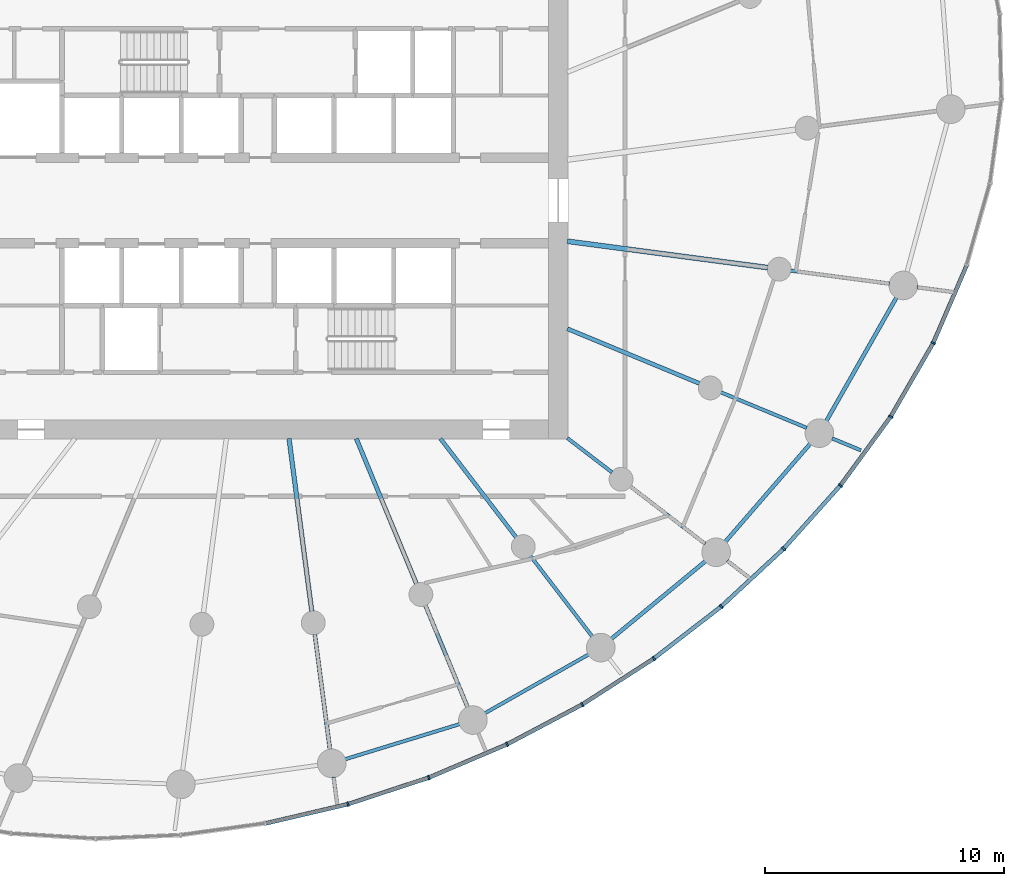
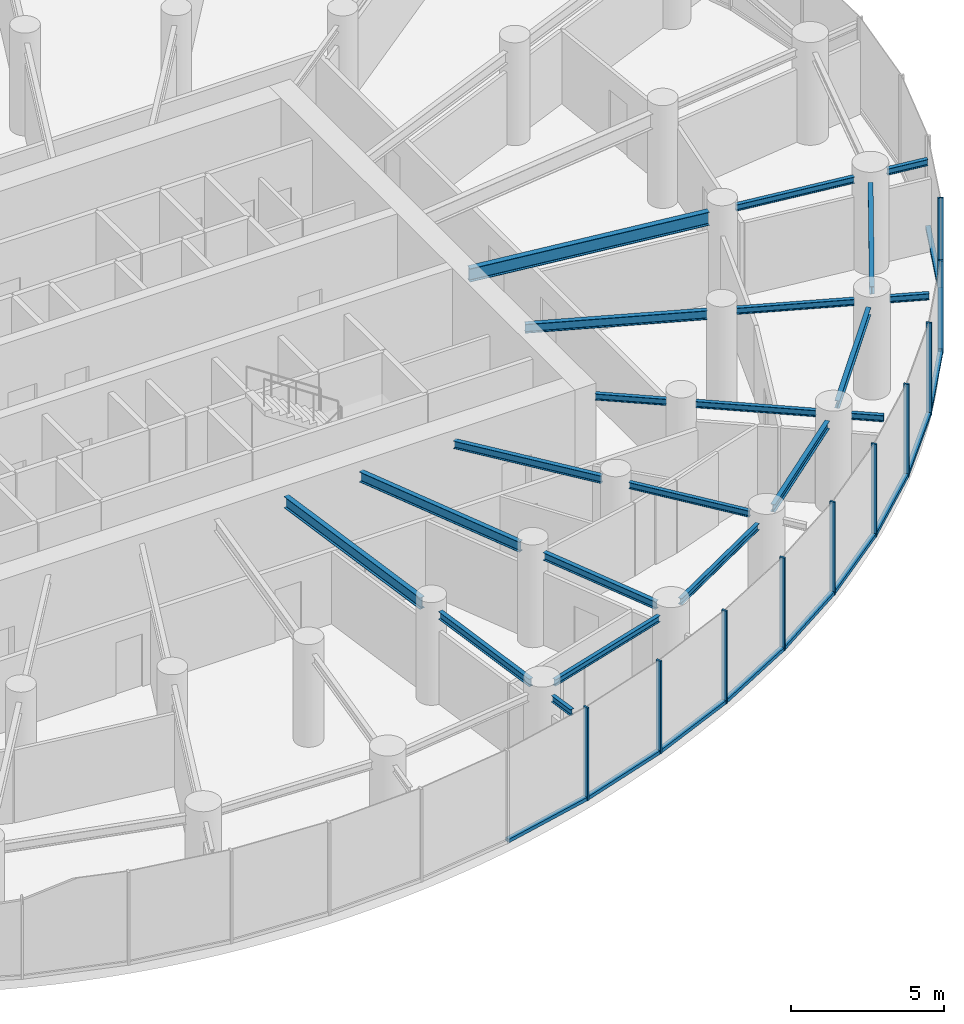
# One storey, part 4 of 17: 21 beams, 21 members, 3 elements without a shape of their own.
"""IFC4 building model written with IfcOpenShell, lengths in metres."""

from ifc_helpers import new_model, si_unit, direction, frame, origin, origin_2d, place, context, subcontext, project, spatial, rectangle, i_section, extrude, source, transform, mapped, material, layer, layer_set, material_profile, profile_set, type_object, element, aggregate, save


model = new_model("IFC4")

# Units and contexts
model_context = context("Model", 3, precision=1e-05, world=origin(), true_north=direction((0.0, 1.0)))
body_context = subcontext(model_context, "Body", "Model", "MODEL_VIEW")
ifc_project = project(units=[si_unit("LENGTHUNIT", "METRE"), si_unit("AREAUNIT", "SQUARE_METRE"), si_unit("VOLUMEUNIT", "CUBIC_METRE"), si_unit("PLANEANGLEUNIT", "RADIAN"), si_unit("MASSUNIT", "GRAM", prefix="KILO")], contexts=[model_context])

# Site, building, storey
site_placement = place(None, origin())
site = spatial("IfcSite", under=ifc_project, at=site_placement, CompositionType="ELEMENT")
building_placement = place(site_placement, origin())
building = spatial("IfcBuilding", under=site, at=building_placement, Name="Spindrift Exchange Tower", CompositionType="ELEMENT")
storey_placement = place(building_placement, frame((0.0, 0.0, 100.300048828125)))
storey = spatial("IfcBuildingStorey", under=building, at=storey_placement, Name="L23", CompositionType="ELEMENT", Elevation=100.300048828125)

# Beams
ifc_material_1 = material(Name="Steel Grade 300", Category="steel")
ifc_material_profile_1 = material_profile(ifc_material_1, i_section(OverallWidth=0.18994140625, OverallDepth=0.45703125, WebThickness=0.009033203125, FlangeThickness=0.014404296875, FilletRadius=0.013916015625, at=origin_2d()), Name="460UB74.6")
ifc_profile_set_1 = profile_set([ifc_material_profile_1], Name="Steel Grade 300")
beam_type_1 = type_object("IfcBeamType", Name="Floor Beam 460UB74.6 Steel Grade 300", PredefinedType="BEAM", material=ifc_profile_set_1)
shared_shape_1 = source(origin(), body_context, "Body", "SweptSolid", [
    extrude(i_section(OverallWidth=0.18994140625, OverallDepth=0.45703125, WebThickness=0.009033203125, FlangeThickness=0.014404296875, FilletRadius=0.013916015625, at=origin_2d()), origin(), (0.0, 0.0, 1.0), 7.3095703125),
])
beam_1_placement = place(storey_placement, frame((53.31396484375, 38.019775390625, 3.471435546875), z_axis=(0.130527087244, -0.991444743541, 0.0), x_axis=(0.991444743541, 0.130527087244, 0.0)))
element("IfcBeam", 1, at=beam_1_placement, inside=storey, type_object=beam_type_1, Name="L23 radial beam R19A", PredefinedType="BEAM", context=body_context, shape_type="MappedRepresentation", body=[
    mapped(shared_shape_1, transform((0.0, 0.0, 0.0), scale=1.0)),
])
ifc_material_profile_2 = material_profile(ifc_material_1, i_section(OverallWidth=0.177978515625, OverallDepth=0.406005859375, WebThickness=0.0078125, FlangeThickness=0.0126953125, FilletRadius=0.013916015625, at=origin_2d()), Name="410UB59.7")
ifc_profile_set_2 = profile_set([ifc_material_profile_2], Name="Steel Grade 300")
beam_type_2 = type_object("IfcBeamType", Name="Floor Beam 410UB59.7 Steel Grade 300", PredefinedType="BEAM", material=ifc_profile_set_2)
shared_shape_2 = source(origin(), body_context, "Body", "SweptSolid", [
    extrude(i_section(OverallWidth=0.177978515625, OverallDepth=0.406005859375, WebThickness=0.0078125, FlangeThickness=0.0126953125, FilletRadius=0.013916015625, at=origin_2d()), origin(), (0.0, 0.0, 1.0), 6.594482421875),
])
beam_2_placement = place(storey_placement, frame((56.134521484375, 38.0185546875, 3.4970703125), z_axis=(0.382692929746, -0.92387559851, 0.0), x_axis=(0.92387559851, 0.382692929746, 0.0)))
element("IfcBeam", 2, at=beam_2_placement, inside=storey, type_object=beam_type_2, Name="L23 radial beam R20A", PredefinedType="BEAM", context=body_context, shape_type="MappedRepresentation", body=[
    mapped(shared_shape_2, transform((0.0, 0.0, 0.0), scale=1.0)),
])
ifc_material_profile_3 = material_profile(ifc_material_1, i_section(OverallWidth=0.1650390625, OverallDepth=0.303955078125, WebThickness=0.006103515625, FlangeThickness=0.01025390625, FilletRadius=0.011474609375, at=origin_2d()), Name="310UB40.4")
ifc_profile_set_3 = profile_set([ifc_material_profile_3], Name="Steel Grade 300")
beam_type_3 = type_object("IfcBeamType", Name="Floor Beam 310UB40.4 Steel Grade 300", PredefinedType="BEAM", material=ifc_profile_set_3)
shared_shape_3 = source(origin(), body_context, "Body", "SweptSolid", [
    extrude(i_section(OverallWidth=0.1650390625, OverallDepth=0.303955078125, WebThickness=0.006103515625, FlangeThickness=0.01025390625, FilletRadius=0.011474609375, at=origin_2d()), origin(), (0.0, 0.0, 1.0), 5.224609375),
])
beam_3_placement = place(storey_placement, frame((59.6611328125, 38.015869140625, 3.5478515625), z_axis=(0.608741499316, -0.793368632485, 0.0), x_axis=(0.793368632485, 0.608741499316, 0.0)))
element("IfcBeam", 3, at=beam_3_placement, inside=storey, type_object=beam_type_3, Name="L23 radial beam R21A", PredefinedType="BEAM", context=body_context, shape_type="MappedRepresentation", body=[
    mapped(shared_shape_3, transform((0.0, 0.0, 0.0), scale=1.0)),
])
ifc_material_profile_4 = material_profile(ifc_material_1, i_section(OverallWidth=0.14599609375, OverallDepth=0.251953125, WebThickness=0.006103515625, FlangeThickness=0.008544921875, FilletRadius=0.011962890625, at=origin_2d()), Name="250UB31.4")
ifc_profile_set_4 = profile_set([ifc_material_profile_4], Name="Steel Grade 300")
beam_type_4 = type_object("IfcBeamType", Name="Floor Beam 250UB31.4 Steel Grade 300", PredefinedType="BEAM", material=ifc_profile_set_4)
shared_shape_4 = source(origin(), body_context, "Body", "SweptSolid", [
    extrude(i_section(OverallWidth=0.14599609375, OverallDepth=0.251953125, WebThickness=0.006103515625, FlangeThickness=0.008544921875, FilletRadius=0.011962890625, at=origin_2d()), origin(), (0.0, 0.0, 1.0), 2.353759765625),
])
beam_4_placement = place(storey_placement, frame((64.984130859375, 38.036865234375, 3.573974609375), z_axis=(0.793367573265, -0.608742879787, 0.0), x_axis=(0.608742879787, 0.793367573265, 0.0)))
element("IfcBeam", 4, at=beam_4_placement, inside=storey, type_object=beam_type_4, Name="L23 radial beam R22A", PredefinedType="BEAM", context=body_context, shape_type="MappedRepresentation", body=[
    mapped(shared_shape_4, transform((0.0, 0.0, 0.0), scale=1.0)),
])
ifc_material_profile_5 = material_profile(ifc_material_1, i_section(OverallWidth=0.172119140625, OverallDepth=0.35888671875, WebThickness=0.008056640625, FlangeThickness=0.012939453125, FilletRadius=0.013916015625, at=origin_2d()), Name="360UB56.7")
ifc_profile_set_5 = profile_set([ifc_material_profile_5], Name="Steel Grade 300")
beam_type_5 = type_object("IfcBeamType", Name="Floor Beam 360UB56.7 Steel Grade 300", PredefinedType="BEAM", material=ifc_profile_set_5)
shared_shape_5 = source(origin(), body_context, "Body", "SweptSolid", [
    extrude(i_section(OverallWidth=0.172119140625, OverallDepth=0.35888671875, WebThickness=0.008056640625, FlangeThickness=0.012939453125, FilletRadius=0.013916015625, at=origin_2d()), origin(), (0.0, 0.0, 1.0), 6.004638671875),
])
beam_5_placement = place(storey_placement, frame((64.9814453125, 42.622802734375, 3.5205078125), z_axis=(0.923882044911, -0.38267736684, 0.0), x_axis=(0.38267736684, 0.923882044911, 0.0)))
element("IfcBeam", 5, at=beam_5_placement, inside=storey, type_object=beam_type_5, Name="L23 radial beam R23A", PredefinedType="BEAM", context=body_context, shape_type="MappedRepresentation", body=[
    mapped(shared_shape_5, transform((0.0, 0.0, 0.0), scale=1.0)),
])
ifc_material_profile_6 = material_profile(ifc_material_1, i_section(OverallWidth=0.208984375, OverallDepth=0.532958984375, WebThickness=0.01025390625, FlangeThickness=0.015625, FilletRadius=0.013916015625, at=origin_2d()), Name="530UB92.4")
ifc_profile_set_6 = profile_set([ifc_material_profile_6], Name="Steel Grade 300")
beam_type_6 = type_object("IfcBeamType", Name="Floor Beam 530UB92.4 Steel Grade 300", PredefinedType="BEAM", material=ifc_profile_set_6)
shared_shape_6 = source(origin(), body_context, "Body", "SweptSolid", [
    extrude(i_section(OverallWidth=0.208984375, OverallDepth=0.532958984375, WebThickness=0.01025390625, FlangeThickness=0.015625, FilletRadius=0.013916015625, at=origin_2d()), origin(), (0.0, 0.0, 1.0), 8.4794921875),
])
beam_6_placement = place(storey_placement, frame((64.980224609375, 46.291015625, 3.433349609375), z_axis=(0.991446551951, -0.13051335037, 0.0), x_axis=(0.13051335037, 0.991446551951, 0.0)))
element("IfcBeam", 6, at=beam_6_placement, inside=storey, type_object=beam_type_6, Name="L23 radial beam R24A", PredefinedType="BEAM", context=body_context, shape_type="MappedRepresentation", body=[
    mapped(shared_shape_6, transform((0.0, 0.0, 0.0), scale=1.0)),
])
shared_shape_7 = source(origin(), body_context, "Body", "SweptSolid", [
    extrude(i_section(OverallWidth=0.1650390625, OverallDepth=0.303955078125, WebThickness=0.006103515625, FlangeThickness=0.01025390625, FilletRadius=0.011474609375, at=origin_2d()), origin(), (0.0, 0.0, 1.0), 4.883056640625),
])
beam_7_placement = place(storey_placement, frame((54.393310546875, 29.82080078125, 3.5478515625), z_axis=(0.130542457964, -0.991442719812, 0.0), x_axis=(0.991442719812, 0.130542457964, 0.0)))
element("IfcBeam", 7, at=beam_7_placement, inside=storey, type_object=beam_type_3, Name="L23 radial beam R19B", PredefinedType="BEAM", context=body_context, shape_type="MappedRepresentation", body=[
    mapped(shared_shape_7, transform((0.0, 0.0, 0.0), scale=1.0)),
])
shared_shape_8 = source(origin(), body_context, "Body", "SweptSolid", [
    extrude(i_section(OverallWidth=0.1650390625, OverallDepth=0.303955078125, WebThickness=0.006103515625, FlangeThickness=0.01025390625, FilletRadius=0.011474609375, at=origin_2d()), origin(), (0.0, 0.0, 1.0), 4.63671875),
])
beam_8_placement = place(storey_placement, frame((59.025390625, 31.0390625, 3.5478515625), z_axis=(0.382692818086, -0.923875644763, 0.0), x_axis=(0.923875644763, 0.382692818086, 0.0)))
element("IfcBeam", 8, at=beam_8_placement, inside=storey, type_object=beam_type_3, Name="L23 radial beam R20B", PredefinedType="BEAM", context=body_context, shape_type="MappedRepresentation", body=[
    mapped(shared_shape_8, transform((0.0, 0.0, 0.0), scale=1.0)),
])
shared_shape_9 = source(origin(), body_context, "Body", "SweptSolid", [
    extrude(i_section(OverallWidth=0.14599609375, OverallDepth=0.251953125, WebThickness=0.006103515625, FlangeThickness=0.008544921875, FilletRadius=0.011962890625, at=origin_2d()), origin(), (0.0, 0.0, 1.0), 4.27587890625),
])
beam_9_placement = place(storey_placement, frame((63.426025390625, 33.109375, 3.573974609375), z_axis=(0.608725184746, -0.793381150177, 0.0), x_axis=(0.793381150177, 0.608725184746, 0.0)))
element("IfcBeam", 9, at=beam_9_placement, inside=storey, type_object=beam_type_4, Name="L23 radial beam R21B", PredefinedType="BEAM", context=body_context, shape_type="MappedRepresentation", body=[
    mapped(shared_shape_9, transform((0.0, 0.0, 0.0), scale=1.0)),
])
shared_shape_10 = source(origin(), body_context, "Body", "SweptSolid", [
    extrude(i_section(OverallWidth=0.14599609375, OverallDepth=0.251953125, WebThickness=0.006103515625, FlangeThickness=0.008544921875, FilletRadius=0.011962890625, at=origin_2d()), origin(), (0.0, 0.0, 1.0), 3.966064453125),
])
beam_10_placement = place(storey_placement, frame((67.61328125, 36.01953125, 3.573974609375), z_axis=(0.79336256318, -0.608749409318, 0.0), x_axis=(0.608749409318, 0.79336256318, 0.0)))
element("IfcBeam", 10, at=beam_10_placement, inside=storey, type_object=beam_type_4, Name="L23 radial beam R22B", PredefinedType="BEAM", context=body_context, shape_type="MappedRepresentation", body=[
    mapped(shared_shape_10, transform((0.0, 0.0, 0.0), scale=1.0)),
])
shared_shape_11 = source(origin(), body_context, "Body", "SweptSolid", [
    extrude(i_section(OverallWidth=0.14599609375, OverallDepth=0.251953125, WebThickness=0.006103515625, FlangeThickness=0.008544921875, FilletRadius=0.011962890625, at=origin_2d()), origin(), (0.0, 0.0, 1.0), 3.892333984375),
])
beam_11_placement = place(storey_placement, frame((71.416015625, 39.95751953125, 3.573974609375), z_axis=(0.923878458273, -0.382686025794, 0.0), x_axis=(0.382686025794, 0.923878458273, 0.0)))
element("IfcBeam", 11, at=beam_11_placement, inside=storey, type_object=beam_type_4, Name="L23 radial beam R23B", PredefinedType="BEAM", context=body_context, shape_type="MappedRepresentation", body=[
    mapped(shared_shape_11, transform((0.0, 0.0, 0.0), scale=1.0)),
])
shared_shape_12 = source(origin(), body_context, "Body", "SweptSolid", [
    extrude(i_section(OverallWidth=0.14599609375, OverallDepth=0.251953125, WebThickness=0.006103515625, FlangeThickness=0.008544921875, FilletRadius=0.011962890625, at=origin_2d()), origin(), (0.0, 0.0, 1.0), 4.186279296875),
])
beam_12_placement = place(storey_placement, frame((74.339111328125, 45.05908203125, 3.573974609375), z_axis=(0.991445559167, -0.130520891848, 0.0), x_axis=(0.130520891848, 0.991445559167, 0.0)))
element("IfcBeam", 12, at=beam_12_placement, inside=storey, type_object=beam_type_4, Name="L23 radial beam R24B", PredefinedType="BEAM", context=body_context, shape_type="MappedRepresentation", body=[
    mapped(shared_shape_12, transform((0.0, 0.0, 0.0), scale=1.0)),
])
ifc_material_profile_7 = material_profile(ifc_material_1, i_section(OverallWidth=0.14599609375, OverallDepth=0.251953125, WebThickness=0.006103515625, FlangeThickness=0.008544921875, FilletRadius=0.011962890625, at=origin_2d()), Name="250UB31.4")
ifc_profile_set_7 = profile_set([ifc_material_profile_7], Name="Steel Grade 300")
beam_type_7 = type_object("IfcBeamType", Name="Edge Beam 250UB31.4 Steel Grade 300", PredefinedType="SPANDREL", material=ifc_profile_set_7)
shared_shape_13 = source(origin(), body_context, "Body", "SweptSolid", [
    extrude(i_section(OverallWidth=0.14599609375, OverallDepth=0.251953125, WebThickness=0.006103515625, FlangeThickness=0.008544921875, FilletRadius=0.011962890625, at=origin_2d()), origin(), (0.0, 0.0, 1.0), 5.027587890625),
])
beam_13_placement = place(storey_placement, frame((55.660888671875, 24.57470703125, 3.573974609375), z_axis=(0.956018084082, 0.293307727325, 0.0), x_axis=(-0.293307727325, 0.956018084082, 0.0)))
element("IfcBeam", 13, at=beam_13_placement, inside=storey, type_object=beam_type_7, Name="L23 edge beam E19", PredefinedType="SPANDREL", context=body_context, shape_type="MappedRepresentation", body=[
    mapped(shared_shape_13, transform((0.0, 0.0, 0.0), scale=1.0)),
])
shared_shape_14 = source(origin(), body_context, "Body", "SweptSolid", [
    extrude(i_section(OverallWidth=0.14599609375, OverallDepth=0.251953125, WebThickness=0.006103515625, FlangeThickness=0.008544921875, FilletRadius=0.011962890625, at=origin_2d()), origin(), (0.0, 0.0, 1.0), 5.0009765625),
])
beam_14_placement = place(storey_placement, frame((61.5263671875, 26.505615234375, 3.573974609375), z_axis=(0.870045916697, 0.492970691663, 0.0), x_axis=(-0.492970691663, 0.870045916697, 0.0)))
element("IfcBeam", 14, at=beam_14_placement, inside=storey, type_object=beam_type_7, Name="L23 edge beam E20", PredefinedType="SPANDREL", context=body_context, shape_type="MappedRepresentation", body=[
    mapped(shared_shape_14, transform((0.0, 0.0, 0.0), scale=1.0)),
])
ifc_material_profile_8 = material_profile(ifc_material_1, i_section(OverallWidth=0.1650390625, OverallDepth=0.303955078125, WebThickness=0.006103515625, FlangeThickness=0.01025390625, FilletRadius=0.011474609375, at=origin_2d()), Name="310UB40.4")
ifc_profile_set_8 = profile_set([ifc_material_profile_8], Name="Steel Grade 300")
beam_type_8 = type_object("IfcBeamType", Name="Edge Beam 310UB40.4 Steel Grade 300", PredefinedType="SPANDREL", material=ifc_profile_set_8)
shared_shape_15 = source(origin(), body_context, "Body", "SweptSolid", [
    extrude(i_section(OverallWidth=0.1650390625, OverallDepth=0.303955078125, WebThickness=0.006103515625, FlangeThickness=0.01025390625, FilletRadius=0.011474609375, at=origin_2d()), origin(), (0.0, 0.0, 1.0), 5.114501953125),
])
beam_15_placement = place(storey_placement, frame((66.8291015625, 29.626220703125, 3.5478515625), z_axis=(0.771073837992, 0.63674573918, 0.0), x_axis=(-0.63674573918, 0.771073837992, 0.0)))
element("IfcBeam", 15, at=beam_15_placement, inside=storey, type_object=beam_type_8, Name="L23 edge beam E21", PredefinedType="SPANDREL", context=body_context, shape_type="MappedRepresentation", body=[
    mapped(shared_shape_15, transform((0.0, 0.0, 0.0), scale=1.0)),
])
shared_shape_16 = source(origin(), body_context, "Body", "SweptSolid", [
    extrude(i_section(OverallWidth=0.1650390625, OverallDepth=0.303955078125, WebThickness=0.006103515625, FlangeThickness=0.01025390625, FilletRadius=0.011474609375, at=origin_2d()), origin(), (0.0, 0.0, 1.0), 5.448486328125),
])
beam_16_placement = place(storey_placement, frame((71.599609375, 33.6904296875, 3.5478515625), z_axis=(0.654922008827, 0.755696475018, 0.0), x_axis=(-0.755696475018, 0.654922008827, 0.0)))
element("IfcBeam", 16, at=beam_16_placement, inside=storey, type_object=beam_type_8, Name="L23 edge beam E22", PredefinedType="SPANDREL", context=body_context, shape_type="MappedRepresentation", body=[
    mapped(shared_shape_16, transform((0.0, 0.0, 0.0), scale=1.0)),
])
shared_shape_17 = source(origin(), body_context, "Body", "SweptSolid", [
    extrude(i_section(OverallWidth=0.1650390625, OverallDepth=0.303955078125, WebThickness=0.006103515625, FlangeThickness=0.01025390625, FilletRadius=0.011474609375, at=origin_2d()), origin(), (0.0, 0.0, 1.0), 5.9599609375),
])
beam_17_placement = place(storey_placement, frame((75.834228515625, 38.75048828125, 3.5478515625), z_axis=(0.493940434745, 0.869495742901, 0.0), x_axis=(-0.869495742901, 0.493940434745, 0.0)))
element("IfcBeam", 17, at=beam_17_placement, inside=storey, type_object=beam_type_8, Name="L23 edge beam E23", PredefinedType="SPANDREL", context=body_context, shape_type="MappedRepresentation", body=[
    mapped(shared_shape_17, transform((0.0, 0.0, 0.0), scale=1.0)),
])
ifc_material_profile_9 = material_profile(ifc_material_1, i_section(OverallWidth=0.14599609375, OverallDepth=0.251953125, WebThickness=0.006103515625, FlangeThickness=0.008544921875, FilletRadius=0.011962890625, at=origin_2d()), Name="250UB31.4")
ifc_profile_set_9 = profile_set([ifc_material_profile_9], Name="Steel Grade 300")
beam_type_9 = type_object("IfcBeamType", Name="Cantilever Beam 250UB31.4 Steel Grade 300", PredefinedType="BEAM", material=ifc_profile_set_9)
shared_shape_18 = source(origin(), body_context, "Body", "SweptSolid", [
    extrude(i_section(OverallWidth=0.14599609375, OverallDepth=0.251953125, WebThickness=0.006103515625, FlangeThickness=0.008544921875, FilletRadius=0.011962890625, at=origin_2d()), origin(), (0.0, 0.0, 1.0), 1.036865234375),
])
beam_18_placement = place(storey_placement, frame((55.18212890625, 23.82958984375, 3.573974609375), z_axis=(0.13043624116, -0.991456699504, 0.0), x_axis=(0.991456699504, 0.13043624116, 0.0)))
element("IfcBeam", 18, at=beam_18_placement, inside=storey, type_object=beam_type_9, Name="L23 cantilever beam R19T", PredefinedType="BEAM", context=body_context, shape_type="MappedRepresentation", body=[
    mapped(shared_shape_18, transform((0.0, 0.0, 0.0), scale=1.0)),
])
shared_shape_19 = source(origin(), body_context, "Body", "SweptSolid", [
    extrude(i_section(OverallWidth=0.14599609375, OverallDepth=0.251953125, WebThickness=0.006103515625, FlangeThickness=0.008544921875, FilletRadius=0.011962890625, at=origin_2d()), origin(), (0.0, 0.0, 1.0), 1.070556640625),
])
beam_19_placement = place(storey_placement, frame((71.679931640625, 32.89892578125, 3.573974609375), z_axis=(0.793411777687, -0.608685264342, 0.0), x_axis=(0.608685264342, 0.793411777687, 0.0)))
element("IfcBeam", 19, at=beam_19_placement, inside=storey, type_object=beam_type_9, Name="L23 cantilever beam R22T", PredefinedType="BEAM", context=body_context, shape_type="MappedRepresentation", body=[
    mapped(shared_shape_19, transform((0.0, 0.0, 0.0), scale=1.0)),
])
shared_shape_20 = source(origin(), body_context, "Body", "SweptSolid", [
    extrude(i_section(OverallWidth=0.14599609375, OverallDepth=0.251953125, WebThickness=0.006103515625, FlangeThickness=0.008544921875, FilletRadius=0.011962890625, at=origin_2d()), origin(), (0.0, 0.0, 1.0), 1.301025390625),
])
beam_20_placement = place(storey_placement, frame((76.08349609375, 38.024169921875, 3.573974609375), z_axis=(0.923891035164, -0.382655661324, 0.0), x_axis=(0.382655661324, 0.923891035164, 0.0)))
element("IfcBeam", 20, at=beam_20_placement, inside=storey, type_object=beam_type_9, Name="L23 cantilever beam R23T", PredefinedType="BEAM", context=body_context, shape_type="MappedRepresentation", body=[
    mapped(shared_shape_20, transform((0.0, 0.0, 0.0), scale=1.0)),
])
shared_shape_21 = source(origin(), body_context, "Body", "SweptSolid", [
    extrude(i_section(OverallWidth=0.14599609375, OverallDepth=0.251953125, WebThickness=0.006103515625, FlangeThickness=0.008544921875, FilletRadius=0.011962890625, at=origin_2d()), origin(), (0.0, 0.0, 1.0), 1.431884765625),
])
beam_21_placement = place(storey_placement, frame((79.639404296875, 44.361083984375, 3.573974609375), z_axis=(0.99145719693, -0.130432460129, 0.0), x_axis=(0.130432460129, 0.99145719693, 0.0)))
element("IfcBeam", 21, at=beam_21_placement, inside=storey, type_object=beam_type_9, Name="L23 cantilever beam R24T", PredefinedType="BEAM", context=body_context, shape_type="MappedRepresentation", body=[
    mapped(shared_shape_21, transform((0.0, 0.0, 0.0), scale=1.0)),
])

# Curtain wall, members
ifc_material_2 = material(Name="Fritted laminated glass with bronze frame", Category="glass")
ifc_layer = layer(ifc_material_2, 0.18994140625)
ifc_layer_set = layer_set([ifc_layer], Name="ZONE 2 BRONZE FRITTED WALL")
curtain_wall_type = type_object("IfcCurtainWallType", Name="ZONE 2 BRONZE FRITTED WALL", PredefinedType="NOTDEFINED", material=ifc_layer_set)
curtain_wall_1_placement = place(storey_placement, origin())
curtain_wall_1 = element("IfcCurtainWall", 22, at=curtain_wall_1_placement, inside=storey, type_object=curtain_wall_type, Name="L23 Zone 2 Bronze Fritted Wall run 7", PredefinedType="NOTDEFINED")
ifc_material_3 = material(Name="Bronze anodised aluminium", Category="aluminium")
ifc_material_profile_10 = material_profile(ifc_material_3, rectangle(XDim=0.074951171875, YDim=0.18994140625, at=origin_2d()), Name="ZONE 2 BRONZE FRITTED WALL MULLION 75X190")
ifc_profile_set_10 = profile_set([ifc_material_profile_10], Name="Bronze anodised aluminium")
member_type_1 = type_object("IfcMemberType", Name="ZONE 2 BRONZE FRITTED WALL MULLION 75X190", PredefinedType="MULLION", material=ifc_profile_set_10)
shared_shape_22 = source(origin(), body_context, "Body", "SweptSolid", [
    extrude(rectangle(XDim=0.074951171875, YDim=0.18994140625, at=origin_2d()), origin(), (0.0, 0.0, 1.0), 3.699951171875),
])
member_1_placement = place(storey_placement, frame((55.78515625, 22.693603515625, 0.0), z_axis=(0.0, 0.0, 1.0), x_axis=(0.962888799454, 0.269898425126, 0.0)))
member_1 = element("IfcMember", 23, at=member_1_placement, type_object=member_type_1, Name="L23 mullion CW-2.37", PredefinedType="MULLION", context=body_context, shape_type="MappedRepresentation", body=[
    mapped(shared_shape_22, transform((0.0, 0.0, 0.0), scale=1.0)),
])
member_2_placement = place(storey_placement, frame((59.174072265625, 23.805419921875, 0.0), z_axis=(0.0, 0.0, 1.0), x_axis=(0.936012835438, 0.351965867514, 0.0)))
member_2 = element("IfcMember", 24, at=member_2_placement, type_object=member_type_1, Name="L23 mullion CW-2.38", PredefinedType="MULLION", context=body_context, shape_type="MappedRepresentation", body=[
    mapped(shared_shape_22, transform((0.0, 0.0, 0.0), scale=1.0)),
])
member_3_placement = place(storey_placement, frame((62.4560546875, 25.201904296875, 0.0), z_axis=(0.0, 0.0, 1.0), x_axis=(0.902835889517, 0.42998529812, 0.0)))
member_3 = element("IfcMember", 25, at=member_3_placement, type_object=member_type_1, Name="L23 mullion CW-2.39", PredefinedType="MULLION", context=body_context, shape_type="MappedRepresentation", body=[
    mapped(shared_shape_22, transform((0.0, 0.0, 0.0), scale=1.0)),
])
member_4_placement = place(storey_placement, frame((65.608642578125, 26.869873046875, 0.0), z_axis=(0.0, 0.0, 1.0), x_axis=(0.863326215826, 0.504646257359, 0.0)))
member_4 = element("IfcMember", 26, at=member_4_placement, type_object=member_type_1, Name="L23 mullion CW-2.40", PredefinedType="MULLION", context=body_context, shape_type="MappedRepresentation", body=[
    mapped(shared_shape_22, transform((0.0, 0.0, 0.0), scale=1.0)),
])
member_5_placement = place(storey_placement, frame((68.60888671875, 28.798583984375, 0.0), z_axis=(0.0, 0.0, 1.0), x_axis=(0.817122062542, 0.576464686609, 0.0)))
member_5 = element("IfcMember", 27, at=member_5_placement, type_object=member_type_1, Name="L23 mullion CW-2.41", PredefinedType="MULLION", context=body_context, shape_type="MappedRepresentation", body=[
    mapped(shared_shape_22, transform((0.0, 0.0, 0.0), scale=1.0)),
])
member_6_placement = place(storey_placement, frame((71.431884765625, 30.978271484375, 0.0), z_axis=(0.0, 0.0, 1.0), x_axis=(0.76351980724, 0.645784409809, 0.0)))
member_6 = element("IfcMember", 28, at=member_6_placement, type_object=member_type_1, Name="L23 mullion CW-2.42", PredefinedType="MULLION", context=body_context, shape_type="MappedRepresentation", body=[
    mapped(shared_shape_22, transform((0.0, 0.0, 0.0), scale=1.0)),
])

curtain_wall_2_placement = place(storey_placement, origin())
curtain_wall_2 = element("IfcCurtainWall", 29, at=curtain_wall_2_placement, inside=storey, type_object=curtain_wall_type, Name="L23 Zone 2 Bronze Fritted Wall run 8", PredefinedType="NOTDEFINED")
member_7_placement = place(storey_placement, frame((74.0498046875, 33.400390625, 0.0), z_axis=(0.0, 0.0, 1.0), x_axis=(0.70146296243, 0.71270590873, 0.0)))
member_7 = element("IfcMember", 30, at=member_7_placement, type_object=member_type_1, Name="L23 mullion CW-2.43", PredefinedType="MULLION", context=body_context, shape_type="MappedRepresentation", body=[
    mapped(shared_shape_22, transform((0.0, 0.0, 0.0), scale=1.0)),
])
member_8_placement = place(storey_placement, frame((76.429931640625, 36.056396484375, 0.0), z_axis=(0.0, 0.0, 1.0), x_axis=(0.629557039363, 0.776954267759, 0.0)))
member_8 = element("IfcMember", 31, at=member_8_placement, type_object=member_type_1, Name="L23 mullion CW-2.44", PredefinedType="MULLION", context=body_context, shape_type="MappedRepresentation", body=[
    mapped(shared_shape_22, transform((0.0, 0.0, 0.0), scale=1.0)),
])
member_9_placement = place(storey_placement, frame((78.53466796875, 38.935302734375, 0.0), z_axis=(0.0, 0.0, 1.0), x_axis=(0.54603266893, 0.837763883479, 0.0)))
member_9 = element("IfcMember", 32, at=member_9_placement, type_object=member_type_1, Name="L23 mullion CW-2.45", PredefinedType="MULLION", context=body_context, shape_type="MappedRepresentation", body=[
    mapped(shared_shape_22, transform((0.0, 0.0, 0.0), scale=1.0)),
])
member_10_placement = place(storey_placement, frame((80.318603515625, 42.022705078125, 0.0), z_axis=(0.0, 0.0, 1.0), x_axis=(0.448817597676, 0.893623390482, 0.0)))
member_10 = element("IfcMember", 33, at=member_10_placement, type_object=member_type_1, Name="L23 mullion CW-2.46", PredefinedType="MULLION", context=body_context, shape_type="MappedRepresentation", body=[
    mapped(shared_shape_22, transform((0.0, 0.0, 0.0), scale=1.0)),
])
ifc_material_profile_11 = material_profile(ifc_material_3, rectangle(XDim=0.169921875, YDim=0.139892578125, at=origin_2d()), Name="ZONE 2 BRONZE FRITTED WALL TRANSOM 170X140")
ifc_profile_set_11 = profile_set([ifc_material_profile_11], Name="Bronze anodised aluminium")
member_type_2 = type_object("IfcMemberType", Name="ZONE 2 BRONZE FRITTED WALL TRANSOM 170X140", PredefinedType="USERDEFINED", material=ifc_profile_set_11)
shared_shape_23 = source(origin(), body_context, "Body", "SweptSolid", [
    extrude(rectangle(XDim=0.169921875, YDim=0.139892578125, at=origin_2d()), origin(), (0.0, 0.0, 1.0), 3.4912109375),
])
member_11_placement = place(storey_placement, frame((76.4521484375, 36.086669921875, 0.070068359375), z_axis=(0.590153342133, 0.807291169758, 0.0), x_axis=(-0.807291169758, 0.590153342133, 0.0)))
member_11 = element("IfcMember", 34, at=member_11_placement, type_object=member_type_2, Name="L23 transom CW-2.44", ObjectType="TRANSOM", PredefinedType="USERDEFINED", context=body_context, shape_type="MappedRepresentation", body=[
    mapped(shared_shape_23, transform((0.0, 0.0, 0.0), scale=1.0)),
])

# Curtain wall, member
curtain_wall_3_placement = place(storey_placement, origin())
curtain_wall_3 = element("IfcCurtainWall", 35, at=curtain_wall_3_placement, inside=storey, type_object=curtain_wall_type, Name="L23 Zone 2 Bronze Fritted Wall run 6", PredefinedType="NOTDEFINED")
shared_shape_24 = source(origin(), body_context, "Body", "SweptSolid", [
    extrude(rectangle(XDim=0.169921875, YDim=0.139892578125, at=origin_2d()), origin(), (0.0, 0.0, 1.0), 3.49169921875),
])
member_12_placement = place(storey_placement, frame((52.3486328125, 21.890625, 0.070068359375), z_axis=(0.973773604532, 0.22751915769, 0.0), x_axis=(-0.22751915769, 0.973773604532, 0.0)))
member_12 = element("IfcMember", 36, at=member_12_placement, type_object=member_type_2, Name="L23 transom CW-2.36", ObjectType="TRANSOM", PredefinedType="USERDEFINED", context=body_context, shape_type="MappedRepresentation", body=[
    mapped(shared_shape_24, transform((0.0, 0.0, 0.0), scale=1.0)),
])
aggregate(curtain_wall_3, [member_12])

# Member
member_13_placement = place(storey_placement, frame((55.82080078125, 22.705078125, 0.070068359375), z_axis=(0.950155198587, 0.311777322136, 0.0), x_axis=(-0.311777322136, 0.950155198587, 0.0)))
member_13 = element("IfcMember", 37, at=member_13_placement, type_object=member_type_2, Name="L23 transom CW-2.37", ObjectType="TRANSOM", PredefinedType="USERDEFINED", context=body_context, shape_type="MappedRepresentation", body=[
    mapped(shared_shape_24, transform((0.0, 0.0, 0.0), scale=1.0)),
])

member_14_placement = place(storey_placement, frame((59.20849609375, 23.820068359375, 0.070068359375), z_axis=(0.920154635629, 0.391555164097, 0.0), x_axis=(-0.391555164097, 0.920154635629, 0.0)))
member_14 = element("IfcMember", 38, at=member_14_placement, type_object=member_type_2, Name="L23 transom CW-2.38", ObjectType="TRANSOM", PredefinedType="USERDEFINED", context=body_context, shape_type="MappedRepresentation", body=[
    mapped(shared_shape_24, transform((0.0, 0.0, 0.0), scale=1.0)),
])

member_15_placement = place(storey_placement, frame((65.64013671875, 26.89013671875, 0.070068359375), z_axis=(0.841185290437, 0.540746989962, 0.0), x_axis=(-0.540746989962, 0.841185290437, 0.0)))
member_15 = element("IfcMember", 39, at=member_15_placement, type_object=member_type_2, Name="L23 transom CW-2.40", ObjectType="TRANSOM", PredefinedType="USERDEFINED", context=body_context, shape_type="MappedRepresentation", body=[
    mapped(shared_shape_24, transform((0.0, 0.0, 0.0), scale=1.0)),
])

shared_shape_25 = source(origin(), body_context, "Body", "SweptSolid", [
    extrude(rectangle(XDim=0.169921875, YDim=0.139892578125, at=origin_2d()), origin(), (0.0, 0.0, 1.0), 3.49072265625),
])
member_16_placement = place(storey_placement, frame((78.553466796875, 38.9677734375, 0.070068359375), z_axis=(0.500335856762, 0.86583140994, 0.0), x_axis=(-0.86583140994, 0.500335856762, 0.0)))
member_16 = element("IfcMember", 40, at=member_16_placement, type_object=member_type_2, Name="L23 transom CW-2.45", ObjectType="TRANSOM", PredefinedType="USERDEFINED", context=body_context, shape_type="MappedRepresentation", body=[
    mapped(shared_shape_25, transform((0.0, 0.0, 0.0), scale=1.0)),
])

shared_shape_26 = source(origin(), body_context, "Body", "SweptSolid", [
    extrude(rectangle(XDim=0.169921875, YDim=0.139892578125, at=origin_2d()), origin(), (0.0, 0.0, 1.0), 3.491455078125),
])
member_17_placement = place(storey_placement, frame((62.4892578125, 25.219482421875, 0.070068359375), z_axis=(0.883912047963, 0.467653174336, 0.0), x_axis=(-0.467653174336, 0.883912047963, 0.0)))
member_17 = element("IfcMember", 41, at=member_17_placement, type_object=member_type_2, Name="L23 transom CW-2.39", ObjectType="TRANSOM", PredefinedType="USERDEFINED", context=body_context, shape_type="MappedRepresentation", body=[
    mapped(shared_shape_26, transform((0.0, 0.0, 0.0), scale=1.0)),
])

member_18_placement = place(storey_placement, frame((68.638671875, 28.821533203125, 0.070068359375), z_axis=(0.791530980265, 0.611129043067, 0.0), x_axis=(-0.611129043067, 0.791530980265, 0.0)))
member_18 = element("IfcMember", 42, at=member_18_placement, type_object=member_type_2, Name="L23 transom CW-2.41", ObjectType="TRANSOM", PredefinedType="USERDEFINED", context=body_context, shape_type="MappedRepresentation", body=[
    mapped(shared_shape_26, transform((0.0, 0.0, 0.0), scale=1.0)),
])

member_19_placement = place(storey_placement, frame((71.45947265625, 31.003662109375, 0.070068359375), z_axis=(0.733985276833, 0.679165380002, 0.0), x_axis=(-0.679165380002, 0.733985276833, 0.0)))
member_19 = element("IfcMember", 43, at=member_19_placement, type_object=member_type_2, Name="L23 transom CW-2.42", ObjectType="TRANSOM", PredefinedType="USERDEFINED", context=body_context, shape_type="MappedRepresentation", body=[
    mapped(shared_shape_26, transform((0.0, 0.0, 0.0), scale=1.0)),
])

aggregate(curtain_wall_1, [member_1, member_13, member_2, member_14, member_3, member_17, member_4, member_15, member_5, member_18, member_6, member_19])

member_20_placement = place(storey_placement, frame((74.07470703125, 33.42822265625, 0.070068359375), z_axis=(0.667418019408, 0.744683279905, 0.0), x_axis=(-0.744683279905, 0.667418019408, 0.0)))
member_20 = element("IfcMember", 44, at=member_20_placement, type_object=member_type_2, Name="L23 transom CW-2.43", ObjectType="TRANSOM", PredefinedType="USERDEFINED", context=body_context, shape_type="MappedRepresentation", body=[
    mapped(shared_shape_26, transform((0.0, 0.0, 0.0), scale=1.0)),
])

shared_shape_27 = source(origin(), body_context, "Body", "SweptSolid", [
    extrude(rectangle(XDim=0.169921875, YDim=0.139892578125, at=origin_2d()), origin(), (0.0, 0.0, 1.0), 3.490234375),
])
member_21_placement = place(storey_placement, frame((80.33349609375, 42.05712890625, 0.070068359375), z_axis=(0.395767306815, 0.918350825587, 0.0), x_axis=(-0.918350825587, 0.395767306815, 0.0)))
member_21 = element("IfcMember", 45, at=member_21_placement, type_object=member_type_2, Name="L23 transom CW-2.46", ObjectType="TRANSOM", PredefinedType="USERDEFINED", context=body_context, shape_type="MappedRepresentation", body=[
    mapped(shared_shape_27, transform((0.0, 0.0, 0.0), scale=1.0)),
])

aggregate(curtain_wall_2, [member_7, member_20, member_8, member_11, member_9, member_16, member_10, member_21])

save(model, "model.ifc")
